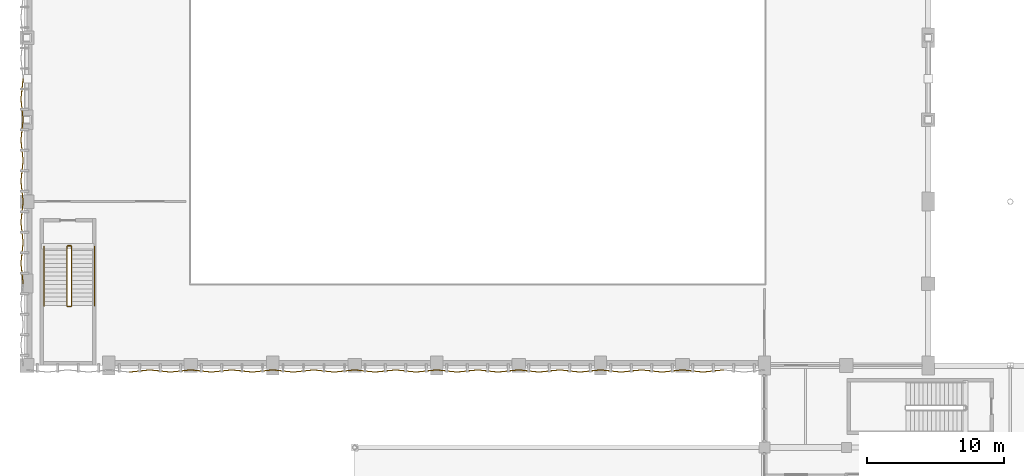
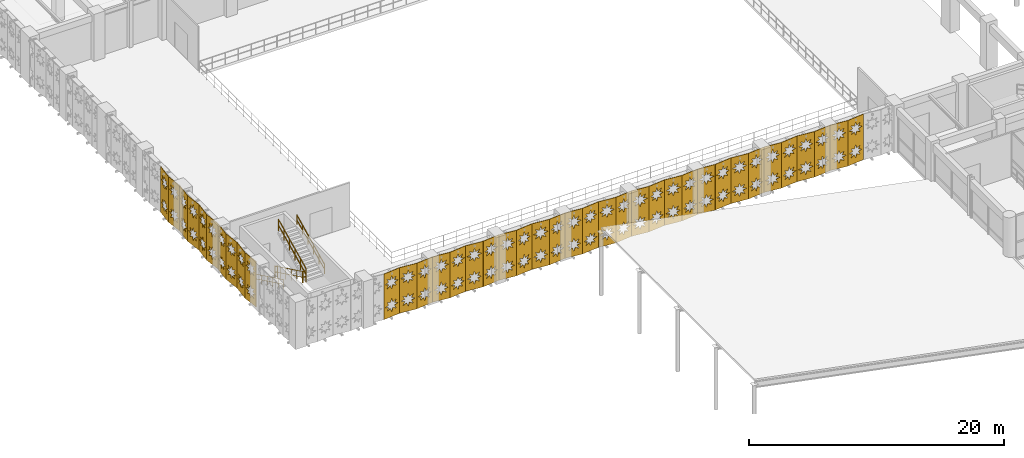
# One storey, part 121 of 133: 39 coverings, 6 railings.
"""IFC4 building model written with IfcOpenShell, lengths in metres."""

from ifc_helpers import new_model, si_unit, direction, frame, origin, origin_2d, place, context, subcontext, project, spatial, polyline, circle, outline, extrude, material, layer, layer_set, type_object, element, save


model = new_model("IFC4")

# Units and contexts
model_context = context("Model", 3, precision=1e-05, world=origin(), true_north=direction((0.0, 1.0)))
body_context = subcontext(model_context, "Body", "Model", "MODEL_VIEW")
ifc_project = project(units=[si_unit("LENGTHUNIT", "METRE"), si_unit("AREAUNIT", "SQUARE_METRE"), si_unit("VOLUMEUNIT", "CUBIC_METRE"), si_unit("PLANEANGLEUNIT", "RADIAN"), si_unit("MASSUNIT", "GRAM", prefix="KILO"), si_unit("THERMODYNAMICTEMPERATUREUNIT", "KELVIN"), si_unit("POWERUNIT", "WATT")], contexts=[model_context])

# Site, building, storey
site_placement = place(None, origin())
site = spatial("IfcSite", under=ifc_project, at=site_placement, CompositionType="ELEMENT")
building_placement = place(site_placement, origin())
building = spatial("IfcBuilding", under=site, at=building_placement, Name="Phaisarnlok Congress Hotel", CompositionType="ELEMENT")
storey_placement = place(building_placement, frame((0.0, 0.0, 6.0)))
storey = spatial("IfcBuildingStorey", under=building, at=storey_placement, Name="L01", CompositionType="ELEMENT", Elevation=6.0)

# Coverings
ifc_material_1 = material(Name="PVDF White Perforated Aluminium Alloy 5052", Category="aluminium")
ifc_layer = layer(ifc_material_1, 0.0400390625, Name="PVDF White Perforated Aluminium Alloy 5052")
ifc_layer_set = layer_set([ifc_layer], Name="PVDF White Perforated Aluminium Alloy 5052")
covering_type = type_object("IfcCoveringType", Name="COV-STAR-FOLD", PredefinedType="CLADDING", material=ifc_layer_set)
for number, where, z_axis, x_axis, name in (
    (1, (-0.300048828125, 48.0, 0.06005859375), (0.994517863207, 0.104566819602, 0.0), (-0.104566819602, 0.994517863207, 0.0), "Folded star-perforated hall screen SS-02 (V1W L01)"),
    (2, (-0.457763671875, 49.5, 0.06005859375), (0.994517863207, -0.104566819602, 0.0), (0.104566819602, 0.994517863207, 0.0), "Folded star-perforated hall screen SS-02 (V1W L01)"),
    (3, (-0.300048828125, 51.0, 0.06005859375), (0.994517863207, 0.104566819602, 0.0), (-0.104566819602, 0.994517863207, 0.0), "Folded star-perforated hall screen SS-02 (V1W L01)"),
    (4, (-0.457763671875, 52.5, 0.06005859375), (0.994517863207, -0.104566819602, 0.0), (0.104566819602, 0.994517863207, 0.0), "Folded star-perforated hall screen SS-02 (V1W L01)"),
    (5, (-0.300048828125, 54.0, 0.06005859375), (0.994517863207, 0.104566819602, 0.0), (-0.104566819602, 0.994517863207, 0.0), "Folded star-perforated hall screen SS-02 (V1W L01)"),
    (6, (-0.457763671875, 55.5, 0.06005859375), (0.994517863207, -0.104566819602, 0.0), (0.104566819602, 0.994517863207, 0.0), "Folded star-perforated hall screen SS-02 (V1W L01)"),
    (7, (-0.300048828125, 57.0, 0.06005859375), (0.994517863207, 0.104566819602, 0.0), (-0.104566819602, 0.994517863207, 0.0), "Folded star-perforated hall screen SS-02 (V1W L01)"),
    (8, (-0.457763671875, 58.5, 0.06005859375), (0.994517863207, -0.104566819602, 0.0), (0.104566819602, 0.994517863207, 0.0), "Folded star-perforated hall screen SS-02 (V1W L01)"),
    (9, (-0.300048828125, 60.0, 0.06005859375), (0.994517863207, 0.104566819602, 0.0), (-0.104566819602, 0.994517863207, 0.0), "Folded star-perforated hall screen SS-02 (V1W L01)"),
    (10, (-0.457763671875, 61.5, 0.06005859375), (0.994517863207, -0.104566819602, 0.0), (0.104566819602, 0.994517863207, 0.0), "Folded star-perforated hall screen SS-02 (V1W L01)"),
    (11, (7.5, 41.542236328125, 0.06005859375), (0.104566819602, -0.994517863207, 0.0), (0.994517863207, 0.104566819602, 0.0), "Folded star-perforated hall screen SS-02 (V1S L01)"),
    (12, (9.0, 41.699951171875, 0.06005859375), (-0.104566819602, -0.994517863207, 0.0), (0.994517863207, -0.104566819602, 0.0), "Folded star-perforated hall screen SS-02 (V1S L01)"),
    (13, (10.5, 41.542236328125, 0.06005859375), (0.104566819602, -0.994517863207, 0.0), (0.994517863207, 0.104566819602, 0.0), "Folded star-perforated hall screen SS-02 (V1S L01)"),
    (14, (12.0, 41.699951171875, 0.06005859375), (-0.104566819602, -0.994517863207, 0.0), (0.994517863207, -0.104566819602, 0.0), "Folded star-perforated hall screen SS-02 (V1S L01)"),
    (15, (13.5, 41.542236328125, 0.06005859375), (0.104566819602, -0.994517863207, 0.0), (0.994517863207, 0.104566819602, 0.0), "Folded star-perforated hall screen SS-02 (V1S L01)"),
    (16, (15.0, 41.699951171875, 0.06005859375), (-0.104566819602, -0.994517863207, 0.0), (0.994517863207, -0.104566819602, 0.0), "Folded star-perforated hall screen SS-02 (V1S L01)"),
    (17, (16.5, 41.542236328125, 0.06005859375), (0.104566819602, -0.994517863207, 0.0), (0.994517863207, 0.104566819602, 0.0), "Folded star-perforated hall screen SS-02 (V1S L01)"),
    (18, (18.0, 41.699951171875, 0.06005859375), (-0.104566819602, -0.994517863207, 0.0), (0.994517863207, -0.104566819602, 0.0), "Folded star-perforated hall screen SS-02 (V1S L01)"),
    (19, (19.5, 41.542236328125, 0.06005859375), (0.104566819602, -0.994517863207, 0.0), (0.994517863207, 0.104566819602, 0.0), "Folded star-perforated hall screen SS-02 (V1S L01)"),
    (20, (21.0, 41.699951171875, 0.06005859375), (-0.104566819602, -0.994517863207, 0.0), (0.994517863207, -0.104566819602, 0.0), "Folded star-perforated hall screen SS-02 (V1S L01)"),
    (21, (22.5, 41.542236328125, 0.06005859375), (0.104566819602, -0.994517863207, 0.0), (0.994517863207, 0.104566819602, 0.0), "Folded star-perforated hall screen SS-02 (V1S L01)"),
    (22, (24.0, 41.699951171875, 0.06005859375), (-0.104566819602, -0.994517863207, 0.0), (0.994517863207, -0.104566819602, 0.0), "Folded star-perforated hall screen SS-02 (V1S L01)"),
    (23, (25.5, 41.542236328125, 0.06005859375), (0.104566819602, -0.994517863207, 0.0), (0.994517863207, 0.104566819602, 0.0), "Folded star-perforated hall screen SS-02 (V1S L01)"),
    (24, (27.0, 41.699951171875, 0.06005859375), (-0.104566819602, -0.994517863207, 0.0), (0.994517863207, -0.104566819602, 0.0), "Folded star-perforated hall screen SS-02 (V1S L01)"),
    (25, (28.5, 41.542236328125, 0.06005859375), (0.104566819602, -0.994517863207, 0.0), (0.994517863207, 0.104566819602, 0.0), "Folded star-perforated hall screen SS-02 (V1S L01)"),
    (26, (30.0, 41.699951171875, 0.06005859375), (-0.104566819602, -0.994517863207, 0.0), (0.994517863207, -0.104566819602, 0.0), "Folded star-perforated hall screen SS-02 (V1S L01)"),
    (27, (31.5, 41.542236328125, 0.06005859375), (0.104566819602, -0.994517863207, 0.0), (0.994517863207, 0.104566819602, 0.0), "Folded star-perforated hall screen SS-02 (V1S L01)"),
    (28, (33.0, 41.699951171875, 0.06005859375), (-0.104566819602, -0.994517863207, 0.0), (0.994517863207, -0.104566819602, 0.0), "Folded star-perforated hall screen SS-02 (V1S L01)"),
    (29, (34.5, 41.542236328125, 0.06005859375), (0.104566819602, -0.994517863207, 0.0), (0.994517863207, 0.104566819602, 0.0), "Folded star-perforated hall screen SS-02 (V1S L01)"),
    (30, (36.0, 41.699951171875, 0.06005859375), (-0.104566819602, -0.994517863207, 0.0), (0.994517863207, -0.104566819602, 0.0), "Folded star-perforated hall screen SS-02 (V1S L01)"),
    (31, (37.5, 41.542236328125, 0.06005859375), (0.104566819602, -0.994517863207, 0.0), (0.994517863207, 0.104566819602, 0.0), "Folded star-perforated hall screen SS-02 (V1S L01)"),
    (32, (39.0, 41.699951171875, 0.06005859375), (-0.104566819602, -0.994517863207, 0.0), (0.994517863207, -0.104566819602, 0.0), "Folded star-perforated hall screen SS-02 (V1S L01)"),
    (33, (40.5, 41.542236328125, 0.06005859375), (0.104566819602, -0.994517863207, 0.0), (0.994517863207, 0.104566819602, 0.0), "Folded star-perforated hall screen SS-02 (V1S L01)"),
    (34, (42.0, 41.699951171875, 0.06005859375), (-0.104566819602, -0.994517863207, 0.0), (0.994517863207, -0.104566819602, 0.0), "Folded star-perforated hall screen SS-02 (V1S L01)"),
    (35, (43.5, 41.542236328125, 0.06005859375), (0.104566819602, -0.994517863207, 0.0), (0.994517863207, 0.104566819602, 0.0), "Folded star-perforated hall screen SS-02 (V1S L01)"),
    (36, (45.0, 41.699951171875, 0.06005859375), (-0.104566819602, -0.994517863207, 0.0), (0.994517863207, -0.104566819602, 0.0), "Folded star-perforated hall screen SS-02 (V1S L01)"),
    (37, (46.5, 41.542236328125, 0.06005859375), (0.104566819602, -0.994517863207, 0.0), (0.994517863207, 0.104566819602, 0.0), "Folded star-perforated hall screen SS-02 (V1S L01)"),
    (38, (48.0, 41.699951171875, 0.06005859375), (-0.104566819602, -0.994517863207, 0.0), (0.994517863207, -0.104566819602, 0.0), "Folded star-perforated hall screen SS-02 (V1S L01)"),
    (39, (49.5, 41.542236328125, 0.06005859375), (0.104566819602, -0.994517863207, 0.0), (0.994517863207, 0.104566819602, 0.0), "Folded star-perforated hall screen SS-02 (V1S L01)"),
):
    element("IfcCovering", number, at=place(storey_placement, frame(where, z_axis=z_axis, x_axis=x_axis)), inside=storey, type_object=covering_type, Name=name, PredefinedType="CLADDING", context=body_context, shape_type="SweptSolid", body=[
        extrude(outline(polyline([(0.0, 0.0), (1.5082685344258453, 0.0), (1.5082685344258453, 4.35986328125), (0.0, 4.35986328125), (0.0, 0.0)]), holes=[polyline([(1.0351, 0.9736), (1.2021, 0.6421), (0.8705, 0.8091), (0.7541, 0.4565), (0.6378, 0.8091), (0.3062, 0.6421), (0.4732, 0.9736), (0.1207, 1.09), (0.4732, 1.2064), (0.3062, 1.5379), (0.6378, 1.3709), (0.7541, 1.7235), (0.8705, 1.3709), (1.2021, 1.5379), (1.0351, 1.2064), (1.3876, 1.09), (1.0351, 0.9736)]), polyline([(1.0351, 3.1536), (1.2021, 2.8221), (0.8705, 2.9891), (0.7541, 2.6365), (0.6378, 2.9891), (0.3062, 2.8221), (0.4732, 3.1536), (0.1207, 3.27), (0.4732, 3.3864), (0.3062, 3.7179), (0.6378, 3.5509), (0.7541, 3.9035), (0.8705, 3.5509), (1.2021, 3.7179), (1.0351, 3.3864), (1.3876, 3.27), (1.0351, 3.1536)])]), origin(), (0.0, 0.0, 1.0), 0.0400390625),
    ])

# Railings
ifc_material_2 = material(Name="Painted Galvanised Steel S275", Category="steel")
railing_type_1 = type_object("IfcRailingType", Name="RLG-STR-GUARD", PredefinedType="BALUSTRADE", material=ifc_material_2)
railing_1_placement = place(storey_placement, frame((2.929931640625, 50.719970703125, 0.14990234375)))
element("IfcRailing", 40, at=railing_1_placement, inside=storey, type_object=railing_type_1, Name="L01 ST-03 stair guard 1", PredefinedType="BALUSTRADE", context=body_context, shape_type="SweptSolid", body=[
    extrude(circle(Radius=0.02392578125, at=origin_2d()), frame((0.0, 0.0, 1.076171875), z_axis=(0.0, -0.900154768424, 0.435570192832), x_axis=(1.0, 0.0, 0.0)), (0.0, 0.0, 1.0), 4.821533203125),
    extrude(circle(Radius=0.02392578125, at=origin_2d()), frame((0.0, 0.0, 0.52587890625), z_axis=(0.0, -0.900154768424, 0.435570192832), x_axis=(1.0, 0.0, 0.0)), (0.0, 0.0, 1.0), 4.821533203125),
    extrude(circle(Radius=0.02099609375, at=origin_2d()), origin(), (0.0, 0.0, 1.0), 1.052001953125),
    extrude(circle(Radius=0.02099609375, at=origin_2d()), frame((0.0, -0.867919921875, 0.419921875)), (0.0, 0.0, 1.0), 1.052001953125),
    extrude(circle(Radius=0.02099609375, at=origin_2d()), frame((0.0, -1.736083984375, 0.840087890625)), (0.0, 0.0, 1.0), 1.052001953125),
    extrude(circle(Radius=0.02099609375, at=origin_2d()), frame((0.0, -2.60400390625, 1.260009765625)), (0.0, 0.0, 1.0), 1.052001953125),
    extrude(circle(Radius=0.02099609375, at=origin_2d()), frame((0.0, -3.47216796875, 1.68017578125)), (0.0, 0.0, 1.0), 1.052001953125),
    extrude(circle(Radius=0.02099609375, at=origin_2d()), frame((0.0, -4.340087890625, 2.10009765625)), (0.0, 0.0, 1.0), 1.052001953125),
])
railing_2_placement = place(storey_placement, frame((2.97998046875, 46.330078125, 2.25)))
element("IfcRailing", 41, at=railing_2_placement, inside=storey, type_object=railing_type_1, Name="L01 ST-03 stair guard 2", PredefinedType="BALUSTRADE", context=body_context, shape_type="SweptSolid", body=[
    extrude(circle(Radius=0.02392578125, at=origin_2d()), frame((0.0, 0.0, 1.076171875), z_axis=(1.0, 0.0, 0.0), x_axis=(0.0, 1.0, 0.0)), (0.0, 0.0, 1.0), 0.239990234375),
    extrude(circle(Radius=0.02392578125, at=origin_2d()), frame((0.0, 0.0, 0.52587890625), z_axis=(1.0, 0.0, 0.0), x_axis=(0.0, 1.0, 0.0)), (0.0, 0.0, 1.0), 0.239990234375),
    extrude(circle(Radius=0.02099609375, at=origin_2d()), origin(), (0.0, 0.0, 1.0), 1.052001953125),
    extrude(circle(Radius=0.02099609375, at=origin_2d()), frame((0.239990234375, 0.0, 0.0)), (0.0, 0.0, 1.0), 1.052001953125),
])
railing_3_placement = place(storey_placement, frame((3.27001953125, 46.3798828125, 2.39990234375)))
element("IfcRailing", 42, at=railing_3_placement, inside=storey, type_object=railing_type_1, Name="L01 ST-03 stair guard 3", PredefinedType="BALUSTRADE", context=body_context, shape_type="SweptSolid", body=[
    extrude(circle(Radius=0.02392578125, at=origin_2d()), frame((0.0, 0.0, 1.076171875), z_axis=(0.0, 0.900154768424, 0.435570192832), x_axis=(-1.0, 0.0, 0.0)), (0.0, 0.0, 1.0), 4.821533203125),
    extrude(circle(Radius=0.02392578125, at=origin_2d()), frame((0.0, 0.0, 0.52587890625), z_axis=(0.0, 0.900154768424, 0.435570192832), x_axis=(-1.0, 0.0, 0.0)), (0.0, 0.0, 1.0), 4.821533203125),
    extrude(circle(Radius=0.02099609375, at=origin_2d()), origin(), (0.0, 0.0, 1.0), 1.052001953125),
    extrude(circle(Radius=0.02099609375, at=origin_2d()), frame((0.0, 0.867919921875, 0.419921875)), (0.0, 0.0, 1.0), 1.052001953125),
    extrude(circle(Radius=0.02099609375, at=origin_2d()), frame((0.0, 1.736083984375, 0.840087890625)), (0.0, 0.0, 1.0), 1.052001953125),
    extrude(circle(Radius=0.02099609375, at=origin_2d()), frame((0.0, 2.60400390625, 1.260009765625)), (0.0, 0.0, 1.0), 1.052001953125),
    extrude(circle(Radius=0.02099609375, at=origin_2d()), frame((0.0, 3.47216796875, 1.68017578125)), (0.0, 0.0, 1.0), 1.052001953125),
    extrude(circle(Radius=0.02099609375, at=origin_2d()), frame((0.0, 4.340087890625, 2.10009765625)), (0.0, 0.0, 1.0), 1.052001953125),
])
railing_4_placement = place(storey_placement, frame((2.97998046875, 50.77001953125, 0.0)))
element("IfcRailing", 43, at=railing_4_placement, inside=storey, type_object=railing_type_1, Name="L01 ST-03 stair guard 4", PredefinedType="BALUSTRADE", context=body_context, shape_type="SweptSolid", body=[
    extrude(circle(Radius=0.02392578125, at=origin_2d()), frame((0.0, 0.0, 1.076171875), z_axis=(1.0, 0.0, 0.0), x_axis=(0.0, 1.0, 0.0)), (0.0, 0.0, 1.0), 0.239990234375),
    extrude(circle(Radius=0.02392578125, at=origin_2d()), frame((0.0, 0.0, 0.52587890625), z_axis=(1.0, 0.0, 0.0), x_axis=(0.0, 1.0, 0.0)), (0.0, 0.0, 1.0), 0.239990234375),
    extrude(circle(Radius=0.02099609375, at=origin_2d()), origin(), (0.0, 0.0, 1.0), 1.052001953125),
    extrude(circle(Radius=0.02099609375, at=origin_2d()), frame((0.239990234375, 0.0, 0.0)), (0.0, 0.0, 1.0), 1.052001953125),
])
ifc_material_3 = material(Name="Brushed Stainless Steel Grade 304", Category="steel")
railing_type_2 = type_object("IfcRailingType", Name="RLG-STR-HRAIL", PredefinedType="HANDRAIL", material=ifc_material_3)
railing_5_placement = place(storey_placement, frame((1.25, 50.719970703125, 0.14990234375)))
element("IfcRailing", 44, at=railing_5_placement, inside=storey, type_object=railing_type_2, Name="L01 ST-03 stair handrail 1", PredefinedType="HANDRAIL", context=body_context, shape_type="SweptSolid", body=[
    extrude(circle(Radius=0.02392578125, at=origin_2d()), frame((0.0, 0.0, 0.8759765625), z_axis=(0.0, -0.900154768424, 0.435570192832), x_axis=(1.0, 0.0, 0.0)), (0.0, 0.0, 1.0), 4.821533203125),
    extrude(circle(Radius=0.02392578125, at=origin_2d()), frame((0.0, 0.0, 0.42578125), z_axis=(0.0, -0.900154768424, 0.435570192832), x_axis=(1.0, 0.0, 0.0)), (0.0, 0.0, 1.0), 4.821533203125),
    extrude(circle(Radius=0.02099609375, at=origin_2d()), origin(), (0.0, 0.0, 1.0), 0.851806640625),
    extrude(circle(Radius=0.02099609375, at=origin_2d()), frame((0.0, -0.867919921875, 0.419921875)), (0.0, 0.0, 1.0), 0.851806640625),
    extrude(circle(Radius=0.02099609375, at=origin_2d()), frame((0.0, -1.736083984375, 0.840087890625)), (0.0, 0.0, 1.0), 0.851806640625),
    extrude(circle(Radius=0.02099609375, at=origin_2d()), frame((0.0, -2.60400390625, 1.260009765625)), (0.0, 0.0, 1.0), 0.851806640625),
    extrude(circle(Radius=0.02099609375, at=origin_2d()), frame((0.0, -3.47216796875, 1.68017578125)), (0.0, 0.0, 1.0), 0.851806640625),
    extrude(circle(Radius=0.02099609375, at=origin_2d()), frame((0.0, -4.340087890625, 2.10009765625)), (0.0, 0.0, 1.0), 0.851806640625),
])
railing_6_placement = place(storey_placement, frame((4.949951171875, 46.3798828125, 2.39990234375)))
element("IfcRailing", 45, at=railing_6_placement, inside=storey, type_object=railing_type_2, Name="L01 ST-03 stair handrail 2", PredefinedType="HANDRAIL", context=body_context, shape_type="SweptSolid", body=[
    extrude(circle(Radius=0.02392578125, at=origin_2d()), frame((0.0, 0.0, 0.8759765625), z_axis=(0.0, 0.900154768424, 0.435570192832), x_axis=(-1.0, 0.0, 0.0)), (0.0, 0.0, 1.0), 4.821533203125),
    extrude(circle(Radius=0.02392578125, at=origin_2d()), frame((0.0, 0.0, 0.42578125), z_axis=(0.0, 0.900154768424, 0.435570192832), x_axis=(-1.0, 0.0, 0.0)), (0.0, 0.0, 1.0), 4.821533203125),
    extrude(circle(Radius=0.02099609375, at=origin_2d()), origin(), (0.0, 0.0, 1.0), 0.851806640625),
    extrude(circle(Radius=0.02099609375, at=origin_2d()), frame((0.0, 0.867919921875, 0.419921875)), (0.0, 0.0, 1.0), 0.851806640625),
    extrude(circle(Radius=0.02099609375, at=origin_2d()), frame((0.0, 1.736083984375, 0.840087890625)), (0.0, 0.0, 1.0), 0.851806640625),
    extrude(circle(Radius=0.02099609375, at=origin_2d()), frame((0.0, 2.60400390625, 1.260009765625)), (0.0, 0.0, 1.0), 0.851806640625),
    extrude(circle(Radius=0.02099609375, at=origin_2d()), frame((0.0, 3.47216796875, 1.68017578125)), (0.0, 0.0, 1.0), 0.851806640625),
    extrude(circle(Radius=0.02099609375, at=origin_2d()), frame((0.0, 4.340087890625, 2.10009765625)), (0.0, 0.0, 1.0), 0.851806640625),
])

save(model, "model.ifc")
